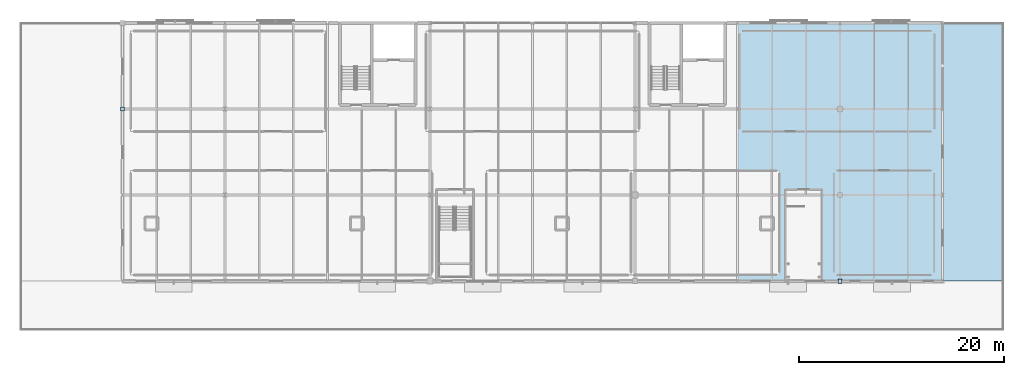
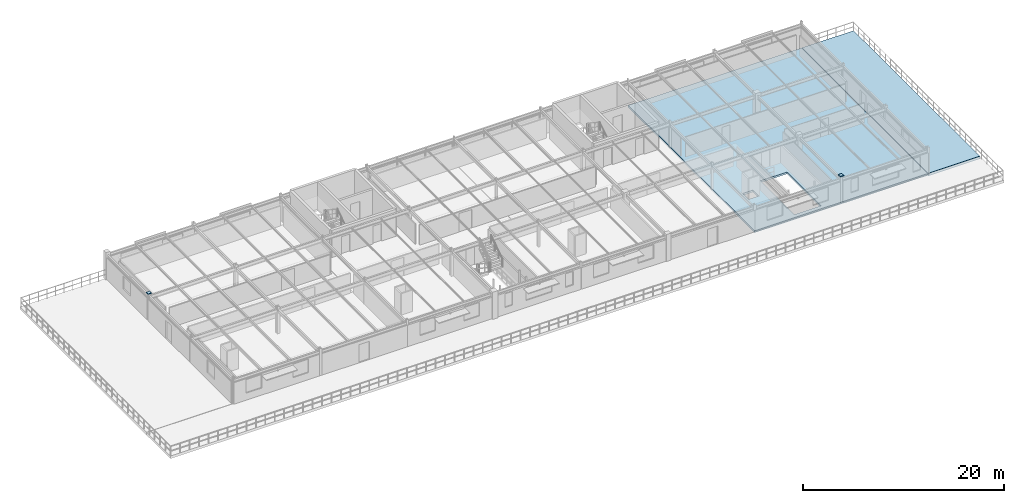
# One storey, part 14 of 23: 2 plates, 2 slabs.
"""IFC4 building model written with IfcOpenShell, lengths in metres."""

from ifc_helpers import new_model, si_unit, derived_unit, direction, frame, origin, origin_2d_with_axis, place, context, subcontext, project, spatial, polyline, rectangle, outline, extrude, material, layer, layer_set, type_object, element, save


model = new_model("IFC4")

# Units and contexts
model_context = context("Model", 3, precision=1e-05, world=origin(), true_north=direction((0.0, 1.0)))
body_context = subcontext(model_context, "Body", "Model", "MODEL_VIEW")
ifc_project = project(units=[si_unit("LENGTHUNIT", "METRE"), si_unit("AREAUNIT", "SQUARE_METRE"), si_unit("VOLUMEUNIT", "CUBIC_METRE"), si_unit("PLANEANGLEUNIT", "RADIAN"), si_unit("MASSUNIT", "GRAM", prefix="KILO"), derived_unit("THERMALTRANSMITTANCEUNIT", [(si_unit("POWERUNIT", "WATT"), 1), (si_unit("LENGTHUNIT", "METRE"), -2), (si_unit("THERMODYNAMICTEMPERATUREUNIT", "KELVIN"), -1)])], contexts=[model_context])

# Site, building, storey
site_placement = place(None, origin())
site = spatial("IfcSite", under=ifc_project, at=site_placement, CompositionType="ELEMENT")
building_placement = place(site_placement, origin())
building = spatial("IfcBuilding", under=site, at=building_placement, Name="Cinnabar Yard Market Hall", CompositionType="ELEMENT")
storey_placement = place(building_placement, frame((0.0, 0.0, 12.0)))
storey = spatial("IfcBuildingStorey", under=building, at=storey_placement, Name="L03", CompositionType="ELEMENT", Elevation=12.0)

# Plates
ifc_material_1 = material(Name="Steel Grade 350 (350 MPa)", Category="steel")
ifc_layer_1 = layer(ifc_material_1, 0.02392578125)
ifc_layer_set_1 = layer_set([ifc_layer_1], Name="Steel Grade 350 (350 MPa)")
plate_type = type_object("IfcPlateType", Name="PL-NP16", PredefinedType="SHEET", material=ifc_layer_set_1)
for number, where, z_axis, x_axis, name in (
    (1, (76.0, 129.60009765625, 3.2880859375), (0.0, 0.0, 1.0), (1.0, 0.0, 0.0), "Hollow Member Cap Plate 01"),
    (2, (146.0, 112.800048828125, 3.2880859375), (0.0, 0.0, 1.0), (1.0, 0.0, 0.0), "Hollow Member Cap Plate 03"),
):
    element("IfcPlate", number, at=place(storey_placement, frame(where, z_axis=z_axis, x_axis=x_axis)), inside=storey, type_object=plate_type, Name=name, PredefinedType="SHEET", context=body_context, shape_type="SweptSolid", body=[
        extrude(rectangle(XDim=0.419921875, YDim=0.419921875, at=origin_2d_with_axis()), origin(), (0.0, 0.0, 1.0), 0.02392578125),
    ])

# Slabs
ifc_material_2 = material(Name="Concrete 40 MPa", Category="concrete")
ifc_layer_2 = layer(ifc_material_2, 0.239990234375)
ifc_layer_set_2 = layer_set([ifc_layer_2], Name="Concrete 40 MPa")
slab_type_1 = type_object("IfcSlabType", Name="SL-L03", PredefinedType="FLOOR", material=ifc_layer_set_2)
slab_1_placement = place(storey_placement, frame((0.0, 0.0, -0.239990234375)))
element("IfcSlab", 3, at=slab_1_placement, inside=storey, type_object=slab_type_1, Name="L03 Wing Floor Slab Bay 4", PredefinedType="FLOOR", context=body_context, shape_type="SweptSolid", body=[
    extrude(outline(polyline([(136.0400390625, 112.800048828125), (156.0, 112.800048828125), (156.0, 138.0), (136.0400390625, 138.0), (136.0400390625, 112.800048828125)]), holes=[polyline([(138.2900390625, 117.85009765625), (139.43994140625, 117.85009765625), (139.43994140625, 119.0), (138.2900390625, 119.0), (138.2900390625, 117.85009765625)]), polyline([(140.89990234375, 120.034912109375), (140.89990234375, 113.25), (143.9599609375, 113.25), (143.9599609375, 120.034912109375), (140.89990234375, 120.034912109375)])]), origin(), (0.0, 0.0, 1.0), 0.239990234375),
])
ifc_layer_3 = layer(ifc_material_2, 0.320068359375)
ifc_layer_set_3 = layer_set([ifc_layer_3], Name="Concrete 40 MPa")
slab_type_2 = type_object("IfcSlabType", Name="SL-TERR", PredefinedType="FLOOR", material=ifc_layer_set_3)
slab_2_placement = place(storey_placement, frame((0.0, 0.0, -0.320068359375)))
element("IfcSlab", 4, at=slab_2_placement, inside=storey, type_object=slab_type_2, Name="L03 East Terrace Slab", PredefinedType="FLOOR", context=body_context, shape_type="SweptSolid", body=[
    extrude(outline(polyline([(156.0400390625, 112.800048828125), (162.0, 112.800048828125), (162.0, 138.0), (156.0400390625, 138.0), (156.0400390625, 112.800048828125)])), origin(), (0.0, 0.0, 1.0), 0.320068359375),
])

save(model, "model.ifc")
